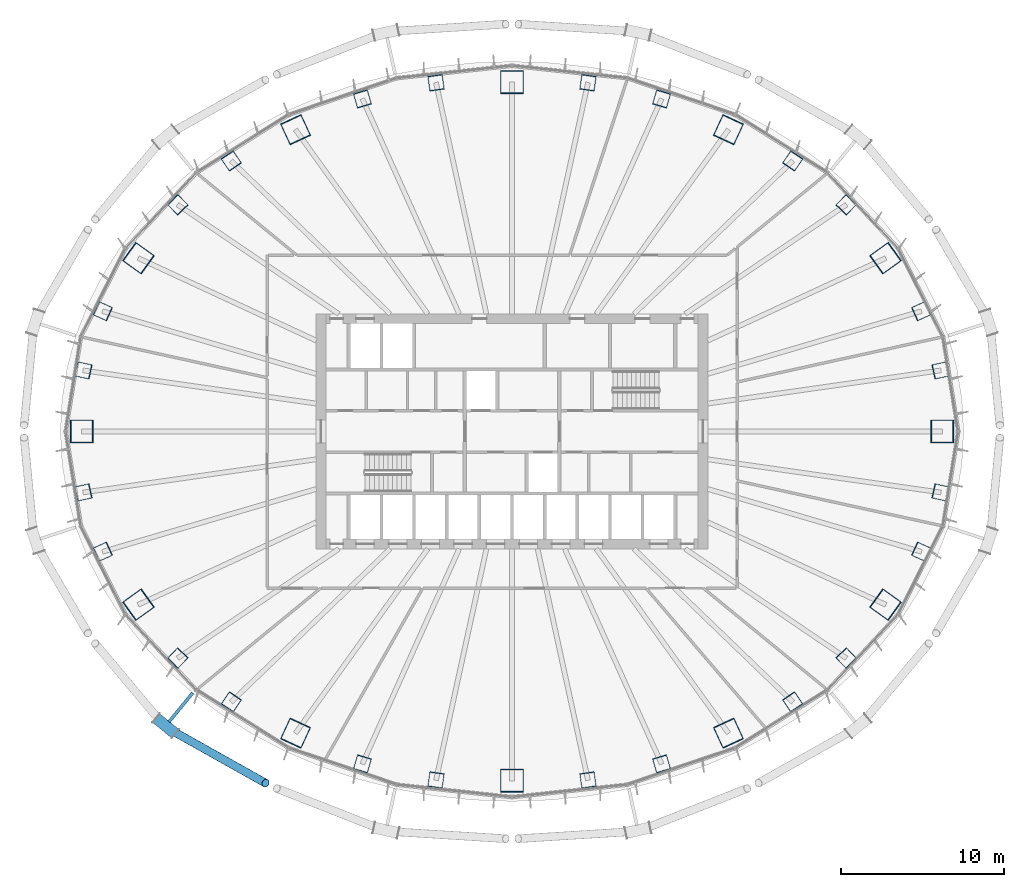
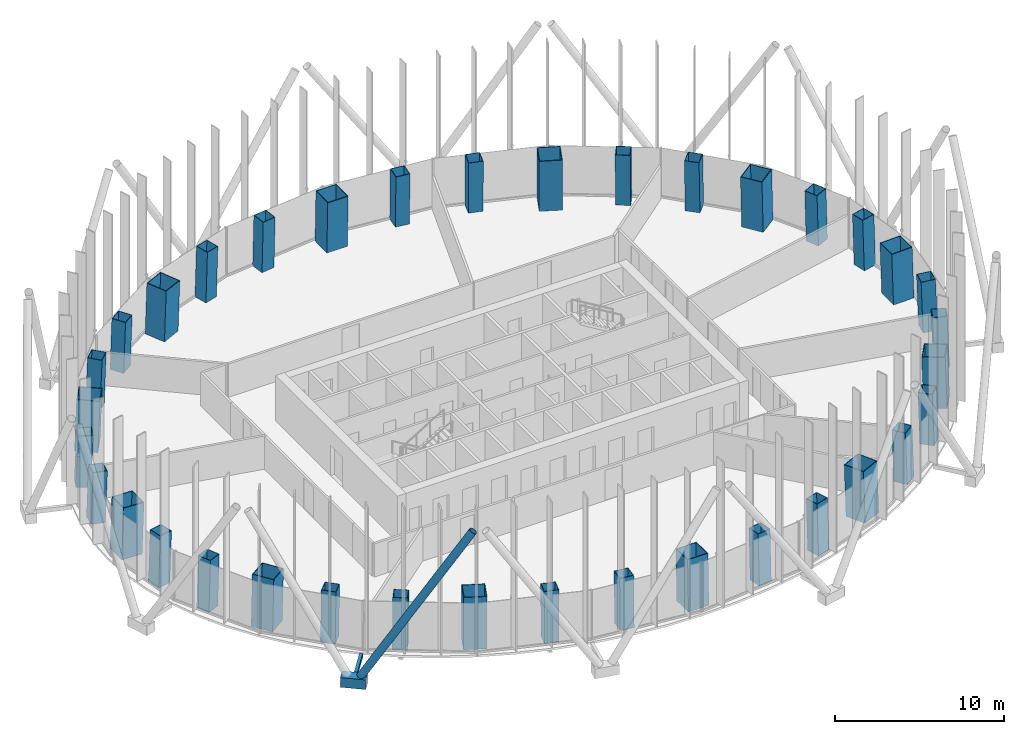
# One storey, part 1 of 19: 36 columns, 3 members.
"""IFC4 building model written with IfcOpenShell, lengths in metres."""

from ifc_helpers import new_model, si_unit, direction, frame, origin, origin_2d, place, context, subcontext, project, spatial, hollow_rectangle, hollow_circle, extrude, material, material_profile, profile_set, type_object, element, save


model = new_model("IFC4")

# Units and contexts
model_context = context("Model", 3, precision=1e-05, world=origin(), true_north=direction((0.0, 1.0)))
body_context = subcontext(model_context, "Body", "Model", "MODEL_VIEW")
ifc_project = project(units=[si_unit("LENGTHUNIT", "METRE"), si_unit("AREAUNIT", "SQUARE_METRE"), si_unit("VOLUMEUNIT", "CUBIC_METRE"), si_unit("PLANEANGLEUNIT", "RADIAN"), si_unit("MASSUNIT", "GRAM", prefix="KILO")], contexts=[model_context])

# Site, building, storey
site_placement = place(None, origin())
site = spatial("IfcSite", under=ifc_project, at=site_placement, CompositionType="ELEMENT")
building_placement = place(site_placement, origin())
building = spatial("IfcBuilding", under=site, at=building_placement, Name="Siaravel Broadcast Tower", CompositionType="ELEMENT")
storey_placement = place(building_placement, frame((0.0, 0.0, 59.300048828125)))
storey = spatial("IfcBuildingStorey", under=building, at=storey_placement, Name="L13", CompositionType="ELEMENT", Elevation=59.300048828125)

# Columns
ifc_material_1 = material(Name="Concrete C70/85", Category="concrete")
ifc_material_profile_1 = material_profile(ifc_material_1, hollow_rectangle(XDim=1.39990234375, YDim=1.39990234375, WallThickness=0.0400390625, at=origin_2d()))
ifc_profile_set_1 = profile_set([ifc_material_profile_1], Name="Concrete C70/85")
column_type_1 = type_object("IfcColumnType", Name="COL-CFT BOX 1400x1400x40", PredefinedType="COLUMN", material=ifc_profile_set_1)
column_1_placement = place(storey_placement, frame((26.389892578125, 0.0, 0.0), z_axis=(-0.034621265, 0.0, 0.999400504), x_axis=(0.0, -1.0, 0.0)))
element("IfcColumn", 1, at=column_1_placement, inside=storey, type_object=column_type_1, Name="Megacolumn MC01", PredefinedType="COLUMN", context=body_context, shape_type="SweptSolid", body=[
    extrude(hollow_rectangle(XDim=1.39990234375, YDim=1.39990234375, WallThickness=0.0400390625, at=origin_2d()), origin(), (0.0, 0.0, 1.0), 3.7021484375),
])
column_2_placement = place(storey_placement, frame((22.90771484375, 10.625, 0.0), z_axis=(-0.029940667, -0.01417895, 0.999451106), x_axis=(0.582555724, -0.812769197, 0.005921143)))
element("IfcColumn", 2, at=column_2_placement, inside=storey, type_object=column_type_1, Name="Megacolumn MC02", PredefinedType="COLUMN", context=body_context, shape_type="SweptSolid", body=[
    extrude(hollow_rectangle(XDim=1.39990234375, YDim=1.39990234375, WallThickness=0.0400390625, at=origin_2d()), origin(), (0.0, 0.0, 1.0), 3.701904296875),
])
column_3_placement = place(storey_placement, frame((13.274658203125, 18.506103515625, 0.0), z_axis=(-0.017280237, -0.024535299, 0.999549605), x_axis=(0.907620506, -0.419757063, 0.005387459)))
element("IfcColumn", 3, at=column_3_placement, inside=storey, type_object=column_type_1, Name="Megacolumn MC03", PredefinedType="COLUMN", context=body_context, shape_type="SweptSolid", body=[
    extrude(hollow_rectangle(XDim=1.39990234375, YDim=1.39990234375, WallThickness=0.0400390625, at=origin_2d()), origin(), (0.0, 0.0, 1.0), 3.70166015625),
])
column_4_placement = place(storey_placement, frame((0.0, 21.417236328125, 0.0), z_axis=(0.0, -0.028296154, 0.999599584), x_axis=(1.0, 0.0, 0.0)))
element("IfcColumn", 4, at=column_4_placement, inside=storey, type_object=column_type_1, Name="Megacolumn MC04", PredefinedType="COLUMN", context=body_context, shape_type="SweptSolid", body=[
    extrude(hollow_rectangle(XDim=1.39990234375, YDim=1.39990234375, WallThickness=0.0400390625, at=origin_2d()), origin(), (0.0, 0.0, 1.0), 3.701416015625),
])
column_5_placement = place(storey_placement, frame((-13.274658203125, 18.506103515625, 0.0), z_axis=(0.017280237, -0.024535299, 0.999549605), x_axis=(0.907620506, 0.419757063, -0.005387459)))
element("IfcColumn", 5, at=column_5_placement, inside=storey, type_object=column_type_1, Name="Megacolumn MC05", PredefinedType="COLUMN", context=body_context, shape_type="SweptSolid", body=[
    extrude(hollow_rectangle(XDim=1.39990234375, YDim=1.39990234375, WallThickness=0.0400390625, at=origin_2d()), origin(), (0.0, 0.0, 1.0), 3.70166015625),
])
column_6_placement = place(storey_placement, frame((-22.90771484375, 10.625, 0.0), z_axis=(0.029940667, -0.01417895, 0.999451106), x_axis=(0.582555724, 0.812769197, -0.005921143)))
element("IfcColumn", 6, at=column_6_placement, inside=storey, type_object=column_type_1, Name="Megacolumn MC06", PredefinedType="COLUMN", context=body_context, shape_type="SweptSolid", body=[
    extrude(hollow_rectangle(XDim=1.39990234375, YDim=1.39990234375, WallThickness=0.0400390625, at=origin_2d()), origin(), (0.0, 0.0, 1.0), 3.701904296875),
])
column_7_placement = place(storey_placement, frame((-26.389892578125, 0.0, 0.0), z_axis=(0.034621265, 0.0, 0.999400504), x_axis=(0.0, 1.0, 0.0)))
element("IfcColumn", 7, at=column_7_placement, inside=storey, type_object=column_type_1, Name="Megacolumn MC07", PredefinedType="COLUMN", context=body_context, shape_type="SweptSolid", body=[
    extrude(hollow_rectangle(XDim=1.39990234375, YDim=1.39990234375, WallThickness=0.0400390625, at=origin_2d()), origin(), (0.0, 0.0, 1.0), 3.7021484375),
])
column_8_placement = place(storey_placement, frame((-22.90771484375, -10.625, 0.0), z_axis=(0.029940667, 0.01417895, 0.999451106), x_axis=(-0.582555724, 0.812769197, 0.005921143)))
element("IfcColumn", 8, at=column_8_placement, inside=storey, type_object=column_type_1, Name="Megacolumn MC08", PredefinedType="COLUMN", context=body_context, shape_type="SweptSolid", body=[
    extrude(hollow_rectangle(XDim=1.39990234375, YDim=1.39990234375, WallThickness=0.0400390625, at=origin_2d()), origin(), (0.0, 0.0, 1.0), 3.701904296875),
])
column_9_placement = place(storey_placement, frame((-13.274658203125, -18.506103515625, 0.0), z_axis=(0.017280237, 0.024535299, 0.999549605), x_axis=(-0.907620506, 0.419757063, 0.005387459)))
element("IfcColumn", 9, at=column_9_placement, inside=storey, type_object=column_type_1, Name="Megacolumn MC09", PredefinedType="COLUMN", context=body_context, shape_type="SweptSolid", body=[
    extrude(hollow_rectangle(XDim=1.39990234375, YDim=1.39990234375, WallThickness=0.0400390625, at=origin_2d()), origin(), (0.0, 0.0, 1.0), 3.70166015625),
])
column_10_placement = place(storey_placement, frame((0.0, -21.417236328125, 0.0), z_axis=(0.0, 0.028296154, 0.999599584), x_axis=(-1.0, 0.0, 0.0)))
element("IfcColumn", 10, at=column_10_placement, inside=storey, type_object=column_type_1, Name="Megacolumn MC10", PredefinedType="COLUMN", context=body_context, shape_type="SweptSolid", body=[
    extrude(hollow_rectangle(XDim=1.39990234375, YDim=1.39990234375, WallThickness=0.0400390625, at=origin_2d()), origin(), (0.0, 0.0, 1.0), 3.701416015625),
])
column_11_placement = place(storey_placement, frame((13.274658203125, -18.506103515625, 0.0), z_axis=(-0.017280237, 0.024535299, 0.999549605), x_axis=(-0.907620506, -0.419757063, -0.005387459)))
element("IfcColumn", 11, at=column_11_placement, inside=storey, type_object=column_type_1, Name="Megacolumn MC11", PredefinedType="COLUMN", context=body_context, shape_type="SweptSolid", body=[
    extrude(hollow_rectangle(XDim=1.39990234375, YDim=1.39990234375, WallThickness=0.0400390625, at=origin_2d()), origin(), (0.0, 0.0, 1.0), 3.70166015625),
])
column_12_placement = place(storey_placement, frame((22.90771484375, -10.625, 0.0), z_axis=(-0.029940667, 0.01417895, 0.999451106), x_axis=(-0.582555724, -0.812769197, -0.005921143)))
element("IfcColumn", 12, at=column_12_placement, inside=storey, type_object=column_type_1, Name="Megacolumn MC12", PredefinedType="COLUMN", context=body_context, shape_type="SweptSolid", body=[
    extrude(hollow_rectangle(XDim=1.39990234375, YDim=1.39990234375, WallThickness=0.0400390625, at=origin_2d()), origin(), (0.0, 0.0, 1.0), 3.701904296875),
])
ifc_material_profile_2 = material_profile(ifc_material_1, hollow_rectangle(XDim=0.89990234375, YDim=0.89990234375, WallThickness=0.02490234375, at=origin_2d()))
ifc_profile_set_2 = profile_set([ifc_material_profile_2], Name="Concrete C70/85")
column_type_2 = type_object("IfcColumnType", Name="COL-CFT BOX 900x900x25", PredefinedType="COLUMN", material=ifc_profile_set_2)
for number, where, z_axis, x_axis, name in (
    (13, (26.2900390625, 3.74169921875, 0.0), (-0.034028034, -0.004945935, 0.99940864), (0.213295357, -0.976984748, 0.002427354), "Perimeter column C01"),
    (14, (25.100830078125, 7.37646484375, 0.0), (-0.032445914, -0.009694206, 0.999426478), (0.41010713, -0.912026416, 0.004467491), "Perimeter column C02"),
):
    element("IfcColumn", number, at=place(storey_placement, frame(where, z_axis=z_axis, x_axis=x_axis)), inside=storey, type_object=column_type_2, Name=name, PredefinedType="COLUMN", context=body_context, shape_type="SweptSolid", body=[
        extrude(hollow_rectangle(XDim=0.89990234375, YDim=0.89990234375, WallThickness=0.02490234375, at=origin_2d()), origin(), (0.0, 0.0, 1.0), 3.7021484375),
    ])
column_13_placement = place(storey_placement, frame((20.49951171875, 13.9013671875, 0.0), z_axis=(-0.026446274, -0.018202423, 0.9994845), x_axis=(0.720306721, -0.693625922, 0.00642707)))
element("IfcColumn", 15, at=column_13_placement, inside=storey, type_object=column_type_2, Name="Perimeter column C03", PredefinedType="COLUMN", context=body_context, shape_type="SweptSolid", body=[
    extrude(hollow_rectangle(XDim=0.89990234375, YDim=0.89990234375, WallThickness=0.02490234375, at=origin_2d()), origin(), (0.0, 0.0, 1.0), 3.701904296875),
])
column_14_placement = place(storey_placement, frame((17.217041015625, 16.590087890625, 0.0), z_axis=(-0.022226124, -0.021764453, 0.999516037), x_axis=(0.828574916, -0.559843497, 0.006234338)))
element("IfcColumn", 16, at=column_14_placement, inside=storey, type_object=column_type_2, Name="Perimeter column C04", PredefinedType="COLUMN", context=body_context, shape_type="SweptSolid", body=[
    extrude(hollow_rectangle(XDim=0.89990234375, YDim=0.89990234375, WallThickness=0.02490234375, at=origin_2d()), origin(), (0.0, 0.0, 1.0), 3.70166015625),
])
for number, where, z_axis, x_axis, name in (
    (17, (9.173583984375, 20.392578125, 0.0), (-0.011872234, -0.026580613, 0.999576171), (0.959049576, -0.283211958, 0.00385975), "Perimeter column C05"),
    (18, (4.6591796875, 21.38330078125, 0.0), (-0.006002173, -0.027900212, 0.999592693), (0.990096111, -0.14037657, 0.002027018), "Perimeter column C06"),
    (19, (-4.6591796875, 21.38330078125, 0.0), (0.006002173, -0.027900212, 0.999592693), (0.990096111, 0.14037657, -0.002027018), "Perimeter column C07"),
    (20, (-9.173583984375, 20.392578125, 0.0), (0.011872234, -0.026580613, 0.999576171), (0.959049576, 0.283211958, -0.00385975), "Perimeter column C08"),
):
    element("IfcColumn", number, at=place(storey_placement, frame(where, z_axis=z_axis, x_axis=x_axis)), inside=storey, type_object=column_type_2, Name=name, PredefinedType="COLUMN", context=body_context, shape_type="SweptSolid", body=[
        extrude(hollow_rectangle(XDim=0.89990234375, YDim=0.89990234375, WallThickness=0.02490234375, at=origin_2d()), origin(), (0.0, 0.0, 1.0), 3.701416015625),
    ])
column_15_placement = place(storey_placement, frame((-17.217041015625, 16.590087890625, 0.0), z_axis=(0.022226124, -0.021764453, 0.999516037), x_axis=(0.828574916, 0.559843497, -0.006234338)))
element("IfcColumn", 21, at=column_15_placement, inside=storey, type_object=column_type_2, Name="Perimeter column C09", PredefinedType="COLUMN", context=body_context, shape_type="SweptSolid", body=[
    extrude(hollow_rectangle(XDim=0.89990234375, YDim=0.89990234375, WallThickness=0.02490234375, at=origin_2d()), origin(), (0.0, 0.0, 1.0), 3.70166015625),
])
column_16_placement = place(storey_placement, frame((-20.49951171875, 13.9013671875, 0.0), z_axis=(0.026446274, -0.018202423, 0.9994845), x_axis=(0.720306721, 0.693625922, -0.00642707)))
element("IfcColumn", 22, at=column_16_placement, inside=storey, type_object=column_type_2, Name="Perimeter column C10", PredefinedType="COLUMN", context=body_context, shape_type="SweptSolid", body=[
    extrude(hollow_rectangle(XDim=0.89990234375, YDim=0.89990234375, WallThickness=0.02490234375, at=origin_2d()), origin(), (0.0, 0.0, 1.0), 3.701904296875),
])
for number, where, z_axis, x_axis, name in (
    (23, (-25.100830078125, 7.37646484375, 0.0), (0.032445914, -0.009694206, 0.999426478), (0.41010713, 0.912026416, -0.004467491), "Perimeter column C11"),
    (24, (-26.2900390625, 3.74169921875, 0.0), (0.034028034, -0.004945935, 0.99940864), (0.213295357, 0.976984748, -0.002427354), "Perimeter column C12"),
    (25, (-26.2900390625, -3.74169921875, 0.0), (0.034028034, 0.004945935, 0.99940864), (-0.213295357, 0.976984748, 0.002427354), "Perimeter column C13"),
    (26, (-25.100830078125, -7.37646484375, 0.0), (0.032445914, 0.009694206, 0.999426478), (-0.41010713, 0.912026416, 0.004467491), "Perimeter column C14"),
):
    element("IfcColumn", number, at=place(storey_placement, frame(where, z_axis=z_axis, x_axis=x_axis)), inside=storey, type_object=column_type_2, Name=name, PredefinedType="COLUMN", context=body_context, shape_type="SweptSolid", body=[
        extrude(hollow_rectangle(XDim=0.89990234375, YDim=0.89990234375, WallThickness=0.02490234375, at=origin_2d()), origin(), (0.0, 0.0, 1.0), 3.7021484375),
    ])
column_17_placement = place(storey_placement, frame((-20.49951171875, -13.9013671875, 0.0), z_axis=(0.026446274, 0.018202423, 0.9994845), x_axis=(-0.720306721, 0.693625922, 0.00642707)))
element("IfcColumn", 27, at=column_17_placement, inside=storey, type_object=column_type_2, Name="Perimeter column C15", PredefinedType="COLUMN", context=body_context, shape_type="SweptSolid", body=[
    extrude(hollow_rectangle(XDim=0.89990234375, YDim=0.89990234375, WallThickness=0.02490234375, at=origin_2d()), origin(), (0.0, 0.0, 1.0), 3.701904296875),
])
column_18_placement = place(storey_placement, frame((-17.217041015625, -16.590087890625, 0.0), z_axis=(0.022226124, 0.021764453, 0.999516037), x_axis=(-0.828574916, 0.559843497, 0.006234338)))
element("IfcColumn", 28, at=column_18_placement, inside=storey, type_object=column_type_2, Name="Perimeter column C16", PredefinedType="COLUMN", context=body_context, shape_type="SweptSolid", body=[
    extrude(hollow_rectangle(XDim=0.89990234375, YDim=0.89990234375, WallThickness=0.02490234375, at=origin_2d()), origin(), (0.0, 0.0, 1.0), 3.70166015625),
])
for number, where, z_axis, x_axis, name in (
    (29, (-9.173583984375, -20.392578125, 0.0), (0.011872234, 0.026580613, 0.999576171), (-0.959049576, 0.283211958, 0.00385975), "Perimeter column C17"),
    (30, (-4.6591796875, -21.38330078125, 0.0), (0.006002173, 0.027900212, 0.999592693), (-0.990096111, 0.14037657, 0.002027018), "Perimeter column C18"),
    (31, (4.6591796875, -21.38330078125, 0.0), (-0.006002173, 0.027900212, 0.999592693), (-0.990096111, -0.14037657, -0.002027018), "Perimeter column C19"),
    (32, (9.173583984375, -20.392578125, 0.0), (-0.011872234, 0.026580613, 0.999576171), (-0.959049576, -0.283211958, -0.00385975), "Perimeter column C20"),
):
    element("IfcColumn", number, at=place(storey_placement, frame(where, z_axis=z_axis, x_axis=x_axis)), inside=storey, type_object=column_type_2, Name=name, PredefinedType="COLUMN", context=body_context, shape_type="SweptSolid", body=[
        extrude(hollow_rectangle(XDim=0.89990234375, YDim=0.89990234375, WallThickness=0.02490234375, at=origin_2d()), origin(), (0.0, 0.0, 1.0), 3.701416015625),
    ])
column_19_placement = place(storey_placement, frame((17.217041015625, -16.590087890625, 0.0), z_axis=(-0.022226124, 0.021764453, 0.999516037), x_axis=(-0.828574916, -0.559843497, -0.006234338)))
element("IfcColumn", 33, at=column_19_placement, inside=storey, type_object=column_type_2, Name="Perimeter column C21", PredefinedType="COLUMN", context=body_context, shape_type="SweptSolid", body=[
    extrude(hollow_rectangle(XDim=0.89990234375, YDim=0.89990234375, WallThickness=0.02490234375, at=origin_2d()), origin(), (0.0, 0.0, 1.0), 3.70166015625),
])
column_20_placement = place(storey_placement, frame((20.49951171875, -13.9013671875, 0.0), z_axis=(-0.026446274, 0.018202423, 0.9994845), x_axis=(-0.720306721, -0.693625922, -0.00642707)))
element("IfcColumn", 34, at=column_20_placement, inside=storey, type_object=column_type_2, Name="Perimeter column C22", PredefinedType="COLUMN", context=body_context, shape_type="SweptSolid", body=[
    extrude(hollow_rectangle(XDim=0.89990234375, YDim=0.89990234375, WallThickness=0.02490234375, at=origin_2d()), origin(), (0.0, 0.0, 1.0), 3.701904296875),
])
for number, where, z_axis, x_axis, name in (
    (35, (25.100830078125, -7.37646484375, 0.0), (-0.032445914, 0.009694206, 0.999426478), (-0.41010713, -0.912026416, -0.004467491), "Perimeter column C23"),
    (36, (26.2900390625, -3.74169921875, 0.0), (-0.034028034, 0.004945935, 0.99940864), (-0.213295357, -0.976984748, -0.002427354), "Perimeter column C24"),
):
    element("IfcColumn", number, at=place(storey_placement, frame(where, z_axis=z_axis, x_axis=x_axis)), inside=storey, type_object=column_type_2, Name=name, PredefinedType="COLUMN", context=body_context, shape_type="SweptSolid", body=[
        extrude(hollow_rectangle(XDim=0.89990234375, YDim=0.89990234375, WallThickness=0.02490234375, at=origin_2d()), origin(), (0.0, 0.0, 1.0), 3.7021484375),
    ])

# Members
ifc_material_2 = material(Name="Steel S460", Category="steel")
ifc_material_profile_3 = material_profile(ifc_material_2, hollow_circle(Radius=0.25390625, WallThickness=0.02001953125, at=origin_2d()))
ifc_profile_set_3 = profile_set([ifc_material_profile_3], Name="Steel S460")
member_type_1 = type_object("IfcMemberType", Name="Diagrid diagonal CHS 508x20", PredefinedType="BRACE", material=ifc_profile_set_3)
member_1_placement = place(storey_placement, frame((-20.927978515625, -18.28515625, 0.119873046875), z_axis=(0.469332409, -0.263280196, 0.842858605), x_axis=(0.489245549, 0.872146085, 0.0)))
element("IfcMember", 37, at=member_1_placement, inside=storey, type_object=member_type_1, Name="Diagrid diagonal R06 station 45A", PredefinedType="BRACE", context=body_context, shape_type="SweptSolid", body=[
    extrude(hollow_circle(Radius=0.25390625, WallThickness=0.02001953125, at=origin_2d()), origin(), (0.0, 0.0, 1.0), 12.41015625),
])
ifc_material_profile_4 = material_profile(ifc_material_2, hollow_rectangle(XDim=0.699951171875, YDim=0.699951171875, WallThickness=0.0400390625, at=origin_2d()))
ifc_profile_set_4 = profile_set([ifc_material_profile_4], Name="Steel S460")
member_type_2 = type_object("IfcMemberType", Name="Diagrid node BOX 700x700x40", PredefinedType="USERDEFINED", material=ifc_profile_set_4)
member_2_placement = place(storey_placement, frame((-21.804443359375, -17.5673828125, -0.199951171875), z_axis=(0.773560079, -0.633722972, 0.0), x_axis=(0.633722972, 0.773560079, 0.0)))
element("IfcMember", 38, at=member_2_placement, inside=storey, type_object=member_type_2, Name="Diagrid node R06 station 45", ObjectType="DIAGRID NODE", PredefinedType="USERDEFINED", context=body_context, shape_type="SweptSolid", body=[
    extrude(hollow_rectangle(XDim=0.699951171875, YDim=0.699951171875, WallThickness=0.0400390625, at=origin_2d()), origin(), (0.0, 0.0, 1.0), 1.506591796875),
])
ifc_material_profile_5 = material_profile(ifc_material_2, hollow_rectangle(XDim=0.199951171875, YDim=0.300048828125, WallThickness=0.012451171875, at=origin_2d()))
ifc_profile_set_5 = profile_set([ifc_material_profile_5], Name="Steel S460")
member_type_3 = type_object("IfcMemberType", Name="Diagrid node arm RHS 300x200x12.5", PredefinedType="STRUT", material=ifc_profile_set_5)
member_3_placement = place(storey_placement, frame((-19.57421875, -16.033447265625, -0.199951171875), z_axis=(-0.633651746, -0.773618423, 0.0), x_axis=(0.773618423, -0.633651746, 0.0)))
element("IfcMember", 39, at=member_3_placement, inside=storey, type_object=member_type_3, Name="Node arm R06 station 45", PredefinedType="STRUT", context=body_context, shape_type="SweptSolid", body=[
    extrude(hollow_rectangle(XDim=0.199951171875, YDim=0.300048828125, WallThickness=0.012451171875, at=origin_2d()), origin(), (0.0, 0.0, 1.0), 2.27978515625),
])

save(model, "model.ifc")
